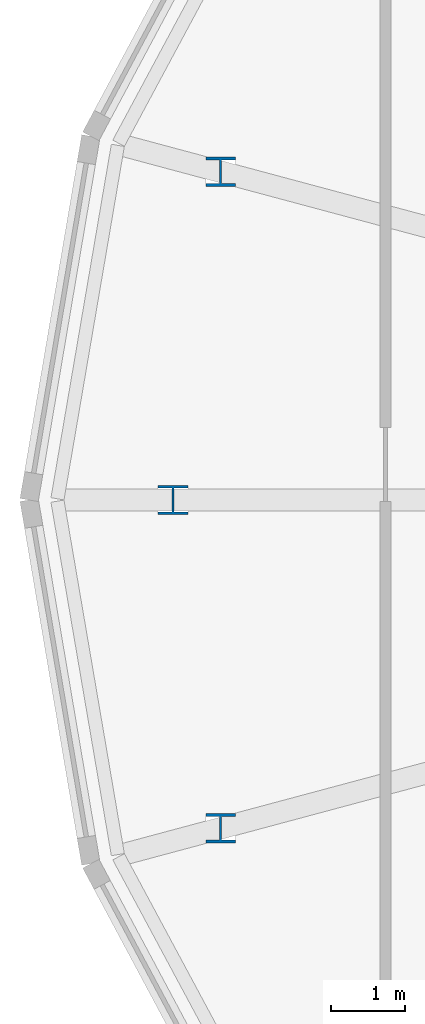
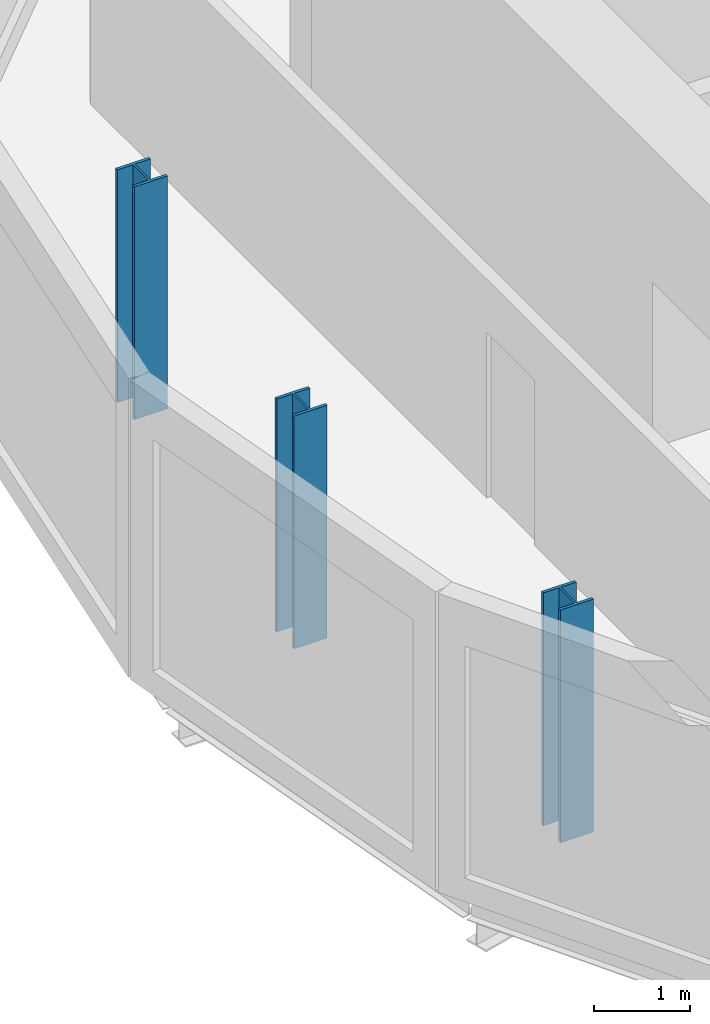
# One storey, part 1 of 36: 3 columns.
"""IFC4 building model written with IfcOpenShell, lengths in metres."""

from ifc_helpers import new_model, si_unit, direction, frame, origin, origin_2d, place, context, subcontext, project, spatial, i_section, extrude, material, material_profile, profile_set, type_object, element, save


model = new_model("IFC4")

# Units and contexts
model_context = context("Model", 3, precision=1e-05, world=origin(), true_north=direction((0.0, 1.0)))
body_context = subcontext(model_context, "Body", "Model", "MODEL_VIEW")
ifc_project = project(units=[si_unit("LENGTHUNIT", "METRE"), si_unit("AREAUNIT", "SQUARE_METRE"), si_unit("VOLUMEUNIT", "CUBIC_METRE"), si_unit("PLANEANGLEUNIT", "RADIAN"), si_unit("MASSUNIT", "GRAM", prefix="KILO")], contexts=[model_context])

# Site, building, storey
site_placement = place(None, origin())
site = spatial("IfcSite", under=ifc_project, at=site_placement, CompositionType="ELEMENT")
building_placement = place(site_placement, origin())
building = spatial("IfcBuilding", under=site, at=building_placement, Name="Rimbun Link Towers", CompositionType="ELEMENT")
storey_placement = place(building_placement, frame((0.0, 0.0, 33.800048828125)))
storey = spatial("IfcBuildingStorey", under=building, at=storey_placement, Name="L07", CompositionType="ELEMENT", Elevation=33.800048828125)

# Columns
ifc_material = material(Name="Steel S355J2", Category="steel")
ifc_material_profile = material_profile(ifc_material, i_section(OverallWidth=0.39892578125, OverallDepth=0.3935546875, WebThickness=0.022705078125, FlangeThickness=0.03662109375, at=origin_2d()), Name="UC 356x406x287")
ifc_profile_set = profile_set([ifc_material_profile], Name="Steel S355J2")
column_type = type_object("IfcColumnType", Name="UC 356x406x287", PredefinedType="COLUMN", material=ifc_profile_set)
for number, where, z_axis, x_axis, name in (
    (1, (-48.30322265625, 4.435302734375, -0.16015625), (0.0, 0.0, 1.0), (1.0, 0.0, 0.0), "Crease post T1 L07 11"),
    (2, (-48.945556640625, 0.0, -0.16015625), (0.0, 0.0, 1.0), (1.0, 0.0, 0.0), "Crease post T1 L07 12"),
    (3, (-48.30322265625, -4.435302734375, -0.16015625), (0.0, 0.0, 1.0), (1.0, 0.0, 0.0), "Crease post T1 L07 13"),
):
    element("IfcColumn", number, at=place(storey_placement, frame(where, z_axis=z_axis, x_axis=x_axis)), inside=storey, type_object=column_type, Name=name, PredefinedType="COLUMN", context=body_context, shape_type="SweptSolid", body=[
        extrude(i_section(OverallWidth=0.39892578125, OverallDepth=0.3935546875, WebThickness=0.022705078125, FlangeThickness=0.03662109375, at=origin_2d()), origin(), (0.0, 0.0, 1.0), 2.95947265625),
    ])

save(model, "model.ifc")
